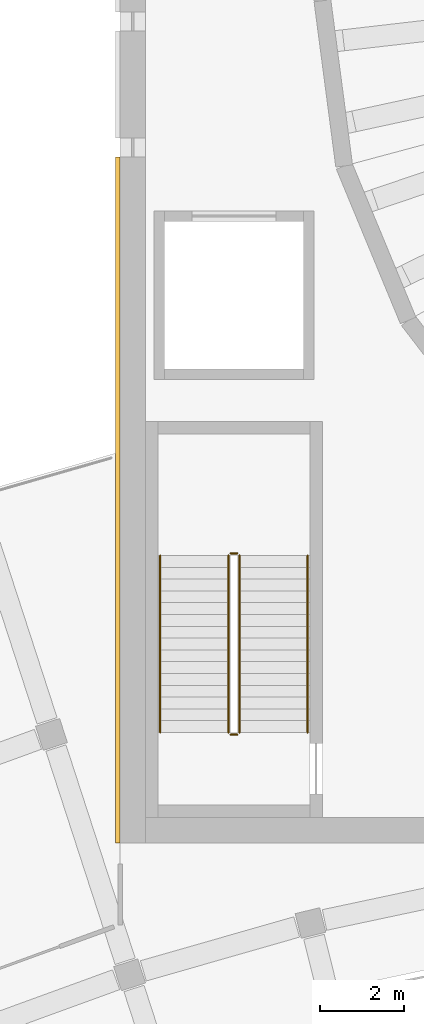
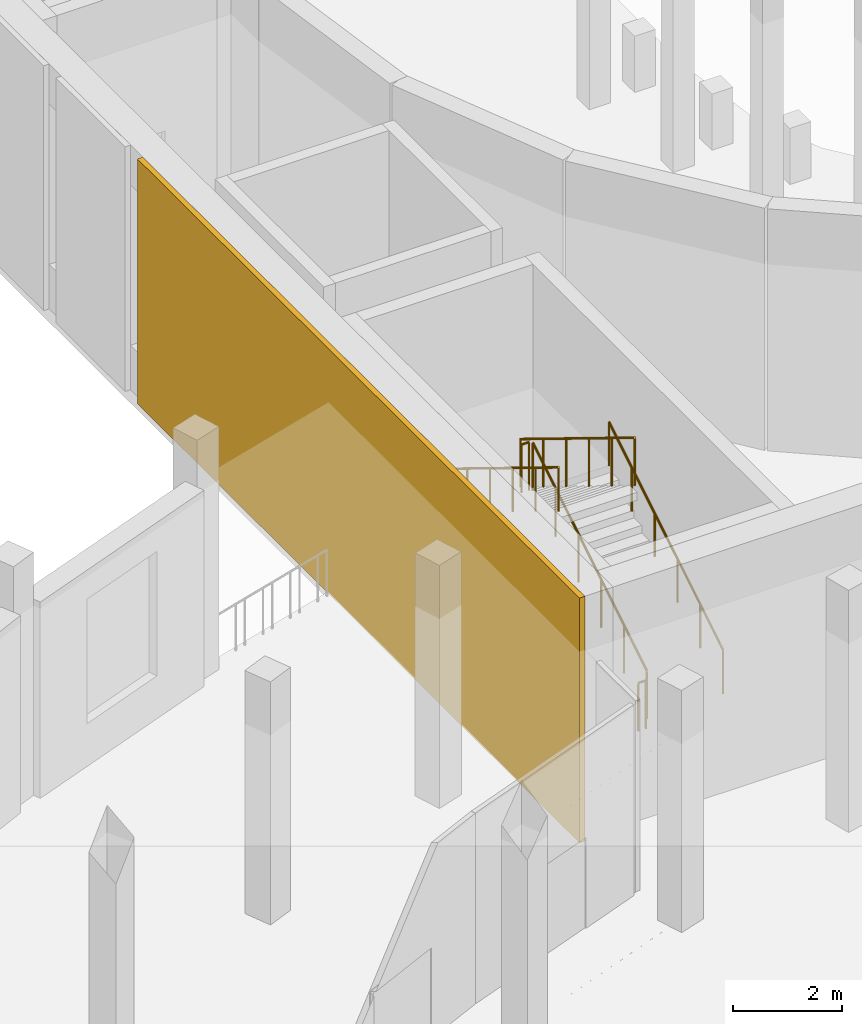
# One storey, part 59 of 87: 6 railings, 1 covering.
"""IFC4 building model written with IfcOpenShell, lengths in metres."""

from ifc_helpers import new_model, si_unit, direction, frame, origin, origin_2d, place, context, subcontext, project, spatial, rectangle, circle, extrude, material, layer, layer_set, type_object, element, save


model = new_model("IFC4")

# Units and contexts
model_context = context("Model", 3, precision=1e-05, world=origin(), true_north=direction((0.0, 1.0)))
body_context = subcontext(model_context, "Body", "Model", "MODEL_VIEW")
ifc_project = project(units=[si_unit("LENGTHUNIT", "METRE"), si_unit("AREAUNIT", "SQUARE_METRE"), si_unit("VOLUMEUNIT", "CUBIC_METRE"), si_unit("PLANEANGLEUNIT", "RADIAN"), si_unit("MASSUNIT", "GRAM", prefix="KILO")], contexts=[model_context])

# Site, building, storey
site_placement = place(None, origin())
site = spatial("IfcSite", under=ifc_project, at=site_placement, CompositionType="ELEMENT")
building_placement = place(site_placement, origin())
building = spatial("IfcBuilding", under=site, at=building_placement, Name="Lunette Opera House", CompositionType="ELEMENT")
storey_placement = place(building_placement, frame((0.0, 0.0, 11.5)))
storey = spatial("IfcBuildingStorey", under=building, at=storey_placement, Name="L02", CompositionType="ELEMENT", Elevation=11.5)

# Covering
ifc_material_1 = material(Name="Clinker brick", Category="masonry")
ifc_layer = layer(ifc_material_1, 0.114990234375)
ifc_layer_set = layer_set([ifc_layer], Name="Clinker brick")
covering_type = type_object("IfcCoveringType", Name="CLINKER CLADDING 115", PredefinedType="CLADDING", material=ifc_layer_set)
covering_placement = place(storey_placement, frame((75.94189453125, 72.137939453125, 0.0), z_axis=(0.0, 0.0, 1.0), x_axis=(1.0, 0.0, 0.0)))
element("IfcCovering", 1, at=covering_placement, inside=storey, type_object=covering_type, Name="Clinker cladding WL L02 1", PredefinedType="CLADDING", context=body_context, shape_type="SweptSolid", body=[
    extrude(rectangle(XDim=0.114990234375, YDim=16.27490234375, at=origin_2d()), origin(), (0.0, 0.0, 1.0), 5.5),
])

# Railings
ifc_material_2 = material(Name="Steel S355", Category="steel")
railing_type_1 = type_object("IfcRailingType", Name="STAIR GUARD 1100", PredefinedType="GUARDRAIL", material=ifc_material_2)
railing_1_placement = place(storey_placement, frame((78.830078125, 66.6201171875, 0.171875)))
element("IfcRailing", 2, at=railing_1_placement, inside=storey, type_object=railing_type_1, Name="L02 ST7 stair guard 1", PredefinedType="GUARDRAIL", context=body_context, shape_type="SweptSolid", body=[
    extrude(circle(Radius=0.02392578125, at=origin_2d()), frame((0.0, 0.0, 1.076171875), z_axis=(0.0, 0.852242915053, 0.523146264196), x_axis=(-1.0, 0.0, 0.0)), (0.0, 0.0, 1.0), 4.92822265625),
    extrude(circle(Radius=0.02099609375, at=origin_2d()), origin(), (0.0, 0.0, 1.0), 1.052001953125),
    extrude(circle(Radius=0.02099609375, at=origin_2d()), frame((0.0, 0.840087890625, 0.515625)), (0.0, 0.0, 1.0), 1.052001953125),
    extrude(circle(Radius=0.02099609375, at=origin_2d()), frame((0.0, 1.679931640625, 1.03125)), (0.0, 0.0, 1.0), 1.052001953125),
    extrude(circle(Radius=0.02099609375, at=origin_2d()), frame((0.0, 2.52001953125, 1.546875)), (0.0, 0.0, 1.0), 1.052001953125),
    extrude(circle(Radius=0.02099609375, at=origin_2d()), frame((0.0, 3.35986328125, 2.0625)), (0.0, 0.0, 1.0), 1.052001953125),
    extrude(circle(Radius=0.02099609375, at=origin_2d()), frame((0.0, 4.199951171875, 2.578125)), (0.0, 0.0, 1.0), 1.052001953125),
])
railing_2_placement = place(storey_placement, frame((78.780029296875, 70.8701171875, 2.75)))
element("IfcRailing", 3, at=railing_2_placement, inside=storey, type_object=railing_type_1, Name="L02 ST7 stair guard 2", PredefinedType="GUARDRAIL", context=body_context, shape_type="SweptSolid", body=[
    extrude(circle(Radius=0.02392578125, at=origin_2d()), frame((0.0, 0.0, 1.076171875), z_axis=(-1.0, 0.0, 0.0), x_axis=(0.0, -1.0, 0.0)), (0.0, 0.0, 1.0), 0.159912109375),
    extrude(circle(Radius=0.02099609375, at=origin_2d()), origin(), (0.0, 0.0, 1.0), 1.052001953125),
    extrude(circle(Radius=0.02099609375, at=origin_2d()), frame((-0.159912109375, 0.0, 0.0)), (0.0, 0.0, 1.0), 1.052001953125),
])
railing_3_placement = place(storey_placement, frame((78.570068359375, 70.820068359375, 2.921875)))
element("IfcRailing", 4, at=railing_3_placement, inside=storey, type_object=railing_type_1, Name="L02 ST7 stair guard 3", PredefinedType="GUARDRAIL", context=body_context, shape_type="SweptSolid", body=[
    extrude(circle(Radius=0.02392578125, at=origin_2d()), frame((0.0, 0.0, 1.076171875), z_axis=(0.0, -0.852242915053, 0.523146264196), x_axis=(1.0, 0.0, 0.0)), (0.0, 0.0, 1.0), 4.92822265625),
    extrude(circle(Radius=0.02099609375, at=origin_2d()), origin(), (0.0, 0.0, 1.0), 1.052001953125),
    extrude(circle(Radius=0.02099609375, at=origin_2d()), frame((0.0, -0.840087890625, 0.515625)), (0.0, 0.0, 1.0), 1.052001953125),
    extrude(circle(Radius=0.02099609375, at=origin_2d()), frame((0.0, -1.679931640625, 1.03125)), (0.0, 0.0, 1.0), 1.052001953125),
    extrude(circle(Radius=0.02099609375, at=origin_2d()), frame((0.0, -2.52001953125, 1.546875)), (0.0, 0.0, 1.0), 1.052001953125),
    extrude(circle(Radius=0.02099609375, at=origin_2d()), frame((0.0, -3.35986328125, 2.0625)), (0.0, 0.0, 1.0), 1.052001953125),
    extrude(circle(Radius=0.02099609375, at=origin_2d()), frame((0.0, -4.199951171875, 2.578125)), (0.0, 0.0, 1.0), 1.052001953125),
])
railing_4_placement = place(storey_placement, frame((78.780029296875, 66.570068359375, 0.0)))
element("IfcRailing", 5, at=railing_4_placement, inside=storey, type_object=railing_type_1, Name="L02 ST7 stair guard 4", PredefinedType="GUARDRAIL", context=body_context, shape_type="SweptSolid", body=[
    extrude(circle(Radius=0.02392578125, at=origin_2d()), frame((0.0, 0.0, 1.076171875), z_axis=(-1.0, 0.0, 0.0), x_axis=(0.0, -1.0, 0.0)), (0.0, 0.0, 1.0), 0.159912109375),
    extrude(circle(Radius=0.02099609375, at=origin_2d()), origin(), (0.0, 0.0, 1.0), 1.052001953125),
    extrude(circle(Radius=0.02099609375, at=origin_2d()), frame((-0.159912109375, 0.0, 0.0)), (0.0, 0.0, 1.0), 1.052001953125),
])
ifc_material_3 = material(Name="Steel S355", Category="steel")
railing_type_2 = type_object("IfcRailingType", Name="STAIR HANDRAIL 1000", PredefinedType="HANDRAIL", material=ifc_material_3)
railing_5_placement = place(storey_placement, frame((80.449951171875, 66.6201171875, 0.171875)))
element("IfcRailing", 6, at=railing_5_placement, inside=storey, type_object=railing_type_2, Name="L02 ST7 stair handrail 1", PredefinedType="HANDRAIL", context=body_context, shape_type="SweptSolid", body=[
    extrude(circle(Radius=0.02392578125, at=origin_2d()), frame((0.0, 0.0, 0.97607421875), z_axis=(0.0, 0.852242915053, 0.523146264196), x_axis=(-1.0, 0.0, 0.0)), (0.0, 0.0, 1.0), 4.92822265625),
    extrude(circle(Radius=0.02099609375, at=origin_2d()), origin(), (0.0, 0.0, 1.0), 0.951904296875),
    extrude(circle(Radius=0.02099609375, at=origin_2d()), frame((0.0, 0.840087890625, 0.515625)), (0.0, 0.0, 1.0), 0.951904296875),
    extrude(circle(Radius=0.02099609375, at=origin_2d()), frame((0.0, 1.679931640625, 1.03125)), (0.0, 0.0, 1.0), 0.951904296875),
    extrude(circle(Radius=0.02099609375, at=origin_2d()), frame((0.0, 2.52001953125, 1.546875)), (0.0, 0.0, 1.0), 0.951904296875),
    extrude(circle(Radius=0.02099609375, at=origin_2d()), frame((0.0, 3.35986328125, 2.0625)), (0.0, 0.0, 1.0), 0.951904296875),
    extrude(circle(Radius=0.02099609375, at=origin_2d()), frame((0.0, 4.199951171875, 2.578125)), (0.0, 0.0, 1.0), 0.951904296875),
])
railing_6_placement = place(storey_placement, frame((76.949951171875, 70.820068359375, 2.921875)))
element("IfcRailing", 7, at=railing_6_placement, inside=storey, type_object=railing_type_2, Name="L02 ST7 stair handrail 2", PredefinedType="HANDRAIL", context=body_context, shape_type="SweptSolid", body=[
    extrude(circle(Radius=0.02392578125, at=origin_2d()), frame((0.0, 0.0, 0.97607421875), z_axis=(0.0, -0.852242915053, 0.523146264196), x_axis=(1.0, 0.0, 0.0)), (0.0, 0.0, 1.0), 4.92822265625),
    extrude(circle(Radius=0.02099609375, at=origin_2d()), origin(), (0.0, 0.0, 1.0), 0.951904296875),
    extrude(circle(Radius=0.02099609375, at=origin_2d()), frame((0.0, -0.840087890625, 0.515625)), (0.0, 0.0, 1.0), 0.951904296875),
    extrude(circle(Radius=0.02099609375, at=origin_2d()), frame((0.0, -1.679931640625, 1.03125)), (0.0, 0.0, 1.0), 0.951904296875),
    extrude(circle(Radius=0.02099609375, at=origin_2d()), frame((0.0, -2.52001953125, 1.546875)), (0.0, 0.0, 1.0), 0.951904296875),
    extrude(circle(Radius=0.02099609375, at=origin_2d()), frame((0.0, -3.35986328125, 2.0625)), (0.0, 0.0, 1.0), 0.951904296875),
    extrude(circle(Radius=0.02099609375, at=origin_2d()), frame((0.0, -4.199951171875, 2.578125)), (0.0, 0.0, 1.0), 0.951904296875),
])

save(model, "model.ifc")
